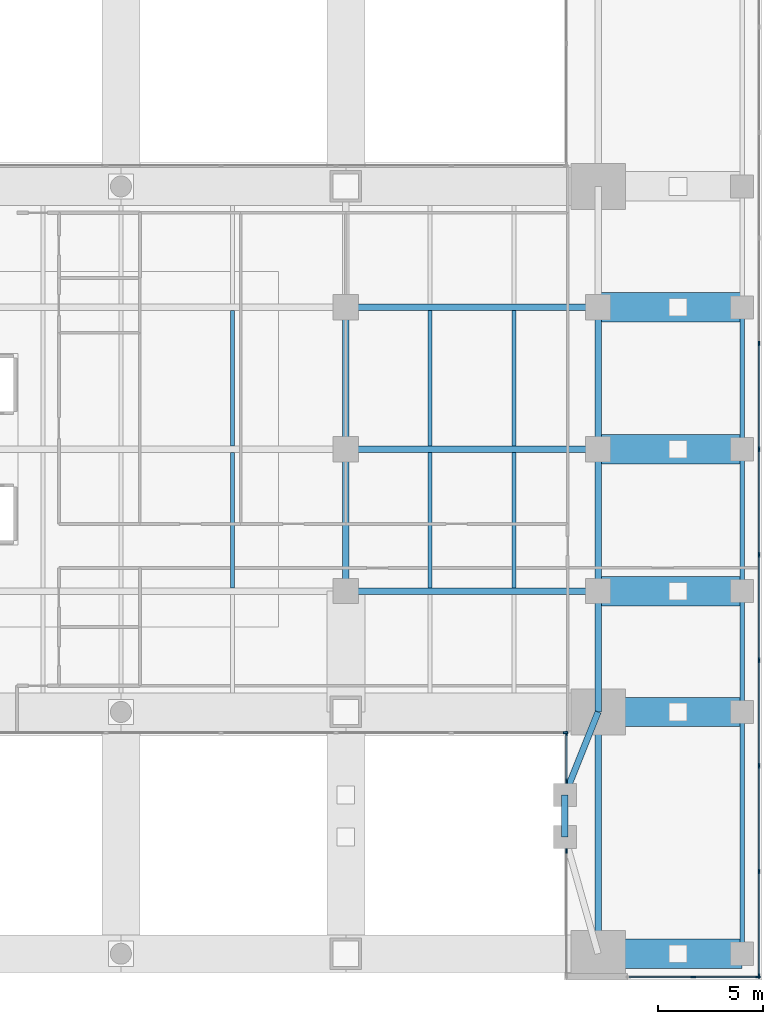
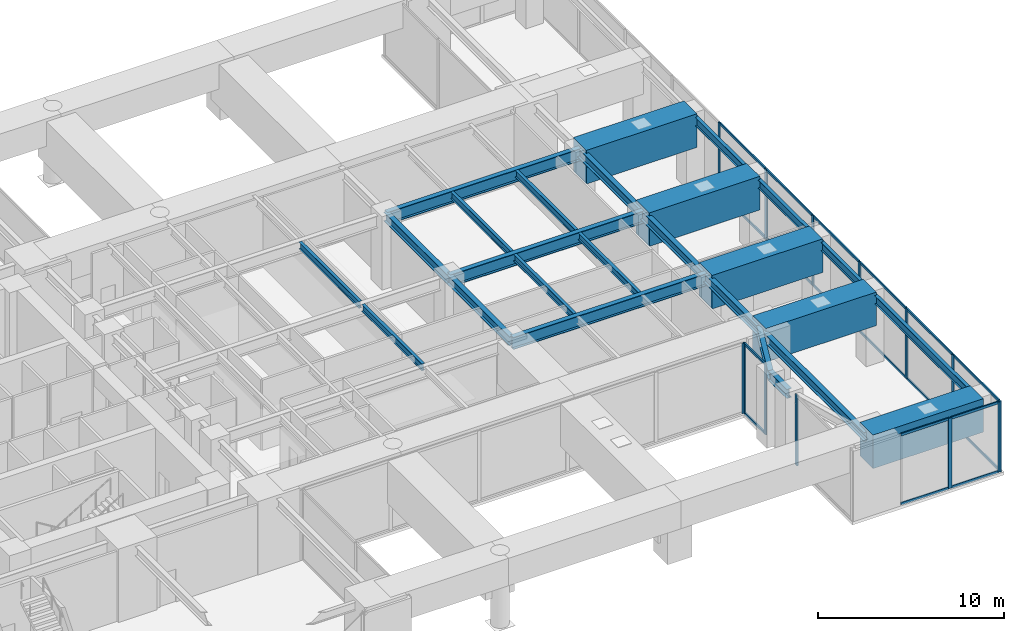
# One storey, part 4 of 13: 31 members, 26 beams, 5 elements without a shape of their own.
"""IFC4 building model written with IfcOpenShell, lengths in metres."""

from ifc_helpers import new_model, si_unit, direction, frame, origin, origin_2d, place, context, subcontext, project, spatial, rectangle, i_section, extrude, material, layer, layer_set, material_profile, profile_set, type_object, element, aggregate, save


model = new_model("IFC4")

# Units and contexts
model_context = context("Model", 3, precision=1e-05, world=origin(), true_north=direction((0.0, 1.0)))
body_context = subcontext(model_context, "Body", "Model", "MODEL_VIEW")
ifc_project = project(units=[si_unit("LENGTHUNIT", "METRE"), si_unit("AREAUNIT", "SQUARE_METRE"), si_unit("VOLUMEUNIT", "CUBIC_METRE"), si_unit("PLANEANGLEUNIT", "RADIAN"), si_unit("MASSUNIT", "GRAM", prefix="KILO")], contexts=[model_context])

# Site, building, storey
site_placement = place(None, origin())
site = spatial("IfcSite", under=ifc_project, at=site_placement, CompositionType="ELEMENT")
building_placement = place(site_placement, origin())
building = spatial("IfcBuilding", under=site, at=building_placement, Name="Kinhvarn Gate Tower", CompositionType="ELEMENT")
storey_placement = place(building_placement, frame((0.0, 0.0, 15.60009765625)))
storey = spatial("IfcBuildingStorey", under=building, at=storey_placement, Name="L03", CompositionType="ELEMENT", Elevation=15.60009765625)

# Beams
ifc_material_1 = material(Name="Concrete C60/75", Category="concrete")
ifc_material_profile_1 = material_profile(ifc_material_1, rectangle(XDim=1.39990234375, YDim=2.199951171875, at=origin_2d()), Name="RC 1400x2200")
ifc_profile_set_1 = profile_set([ifc_material_profile_1], Name="Concrete C60/75")
beam_type_1 = type_object("IfcBeamType", Name="BM-TG-2200", PredefinedType="BEAM", material=ifc_profile_set_1)
for number, where, z_axis, x_axis, name in (
    (1, (50.199951171875, 1.25, 3.699951171875), (1.0, 0.0, 0.0), (0.0, 1.0, 0.0), "Setback Transfer Girder TG-02-L04-PE-1"),
    (2, (50.199951171875, 12.75, 3.699951171875), (1.0, 0.0, 0.0), (0.0, 1.0, 0.0), "Setback Transfer Girder TG-02-L04-PE-2"),
    (3, (50.199951171875, 18.5, 3.699951171875), (1.0, 0.0, 0.0), (0.0, 1.0, 0.0), "Setback Transfer Girder TG-02-L04-PE-3"),
    (4, (50.199951171875, 25.25, 3.699951171875), (1.0, 0.0, 0.0), (0.0, 1.0, 0.0), "Setback Transfer Girder TG-02-L04-PE-4"),
    (5, (50.199951171875, 32.0, 3.699951171875), (1.0, 0.0, 0.0), (0.0, 1.0, 0.0), "Setback Transfer Girder TG-02-L04-PE-5"),
):
    element("IfcBeam", number, at=place(storey_placement, frame(where, z_axis=z_axis, x_axis=x_axis)), inside=storey, type_object=beam_type_1, Name=name, PredefinedType="BEAM", context=body_context, shape_type="SweptSolid", body=[
        extrude(rectangle(XDim=1.39990234375, YDim=2.199951171875, at=origin_2d()), origin(), (0.0, 0.0, 1.0), 6.85009765625),
    ])

# Curtain wall, members
ifc_material_2 = material(Name="Anodised aluminium AW-6063", Category="aluminium")
ifc_layer = layer(ifc_material_2, 0.219970703125)
ifc_layer_set = layer_set([ifc_layer], Name="Anodised aluminium AW-6063")
curtain_wall_type = type_object("IfcCurtainWallType", Name="CW-SYS-1", PredefinedType="NOTDEFINED", material=ifc_layer_set)
curtain_wall_1_placement = place(storey_placement, origin())
curtain_wall_1 = element("IfcCurtainWall", 6, at=curtain_wall_1_placement, inside=storey, type_object=curtain_wall_type, Name="Curtain Wall CW1 (L03)", PredefinedType="NOTDEFINED")
ifc_material_profile_2 = material_profile(ifc_material_2, rectangle(XDim=0.080078125, YDim=0.219970703125, at=origin_2d()), Name="ALU 80x220")
ifc_profile_set_2 = profile_set([ifc_material_profile_2], Name="Anodised aluminium AW-6063")
member_type_1 = type_object("IfcMemberType", Name="CW-MUL-220", PredefinedType="MULLION", material=ifc_profile_set_2)
member_1_placement = place(storey_placement, frame((54.72509765625, 0.14990234375, 0.0), z_axis=(0.0, 0.0, 1.0), x_axis=(0.0, 1.0, 0.0)))
member_1 = element("IfcMember", 7, at=member_1_placement, type_object=member_type_1, Name="CW1 mullion 2", PredefinedType="MULLION", context=body_context, shape_type="SweptSolid", body=[
    extrude(rectangle(XDim=0.080078125, YDim=0.219970703125, at=origin_2d()), origin(), (0.0, 0.0, 1.0), 4.599853515625),
])
member_2_placement = place(storey_placement, frame((57.81005859375, 0.14990234375, 0.0), z_axis=(0.0, 0.0, 1.0), x_axis=(0.0, 1.0, 0.0)))
member_2 = element("IfcMember", 8, at=member_2_placement, type_object=member_type_1, Name="CW1 mullion 3", PredefinedType="MULLION", context=body_context, shape_type="SweptSolid", body=[
    extrude(rectangle(XDim=0.080078125, YDim=0.219970703125, at=origin_2d()), origin(), (0.0, 0.0, 1.0), 4.599853515625),
])

curtain_wall_2_placement = place(storey_placement, origin())
curtain_wall_2 = element("IfcCurtainWall", 9, at=curtain_wall_2_placement, inside=storey, type_object=curtain_wall_type, Name="Curtain Wall CW1 (L03)", PredefinedType="NOTDEFINED")
member_3_placement = place(storey_placement, frame((57.85009765625, 0.18994140625, 0.0), z_axis=(0.0, 0.0, 1.0), x_axis=(-1.0, 0.0, 0.0)))
member_3 = element("IfcMember", 10, at=member_3_placement, type_object=member_type_1, Name="CW1 mullion 1", PredefinedType="MULLION", context=body_context, shape_type="SweptSolid", body=[
    extrude(rectangle(XDim=0.080078125, YDim=0.219970703125, at=origin_2d()), origin(), (0.0, 0.0, 1.0), 4.599853515625),
])
member_4_placement = place(storey_placement, frame((57.85009765625, 5.169921875, 0.0), z_axis=(0.0, 0.0, 1.0), x_axis=(-1.0, 0.0, 0.0)))
member_4 = element("IfcMember", 11, at=member_4_placement, type_object=member_type_1, Name="CW1 mullion 2", PredefinedType="MULLION", context=body_context, shape_type="SweptSolid", body=[
    extrude(rectangle(XDim=0.080078125, YDim=0.219970703125, at=origin_2d()), origin(), (0.0, 0.0, 1.0), 4.599853515625),
])
member_5_placement = place(storey_placement, frame((57.85009765625, 10.18994140625, 0.0), z_axis=(0.0, 0.0, 1.0), x_axis=(-1.0, 0.0, 0.0)))
member_5 = element("IfcMember", 12, at=member_5_placement, type_object=member_type_1, Name="CW1 mullion 3", PredefinedType="MULLION", context=body_context, shape_type="SweptSolid", body=[
    extrude(rectangle(XDim=0.080078125, YDim=0.219970703125, at=origin_2d()), origin(), (0.0, 0.0, 1.0), 4.599853515625),
])
member_6_placement = place(storey_placement, frame((57.85009765625, 15.2099609375, 0.0), z_axis=(0.0, 0.0, 1.0), x_axis=(-1.0, 0.0, 0.0)))
member_6 = element("IfcMember", 13, at=member_6_placement, type_object=member_type_1, Name="CW1 mullion 4", PredefinedType="MULLION", context=body_context, shape_type="SweptSolid", body=[
    extrude(rectangle(XDim=0.080078125, YDim=0.219970703125, at=origin_2d()), origin(), (0.0, 0.0, 1.0), 4.599853515625),
])
member_7_placement = place(storey_placement, frame((57.85009765625, 20.22998046875, 0.0), z_axis=(0.0, 0.0, 1.0), x_axis=(-1.0, 0.0, 0.0)))
member_7 = element("IfcMember", 14, at=member_7_placement, type_object=member_type_1, Name="CW1 mullion 5", PredefinedType="MULLION", context=body_context, shape_type="SweptSolid", body=[
    extrude(rectangle(XDim=0.080078125, YDim=0.219970703125, at=origin_2d()), origin(), (0.0, 0.0, 1.0), 4.599853515625),
])
member_8_placement = place(storey_placement, frame((57.85009765625, 25.25, 0.0), z_axis=(0.0, 0.0, 1.0), x_axis=(-1.0, 0.0, 0.0)))
member_8 = element("IfcMember", 15, at=member_8_placement, type_object=member_type_1, Name="CW1 mullion 6", PredefinedType="MULLION", context=body_context, shape_type="SweptSolid", body=[
    extrude(rectangle(XDim=0.080078125, YDim=0.219970703125, at=origin_2d()), origin(), (0.0, 0.0, 1.0), 4.599853515625),
])
member_9_placement = place(storey_placement, frame((57.85009765625, 30.27001953125, 0.0), z_axis=(0.0, 0.0, 1.0), x_axis=(-1.0, 0.0, 0.0)))
member_9 = element("IfcMember", 16, at=member_9_placement, type_object=member_type_1, Name="CW1 mullion 7", PredefinedType="MULLION", context=body_context, shape_type="SweptSolid", body=[
    extrude(rectangle(XDim=0.080078125, YDim=0.219970703125, at=origin_2d()), origin(), (0.0, 0.0, 1.0), 4.599853515625),
])

# Curtain wall, member
curtain_wall_3_placement = place(storey_placement, origin())
curtain_wall_3 = element("IfcCurtainWall", 17, at=curtain_wall_3_placement, inside=storey, type_object=curtain_wall_type, Name="Curtain Wall CW1 (L03)", PredefinedType="NOTDEFINED")
member_10_placement = place(storey_placement, frame((48.64990234375, 11.760009765625, 0.0), z_axis=(0.0, 0.0, 1.0), x_axis=(0.0, 1.0, 0.0)))
member_10 = element("IfcMember", 18, at=member_10_placement, type_object=member_type_1, Name="CW1 mullion 6", PredefinedType="MULLION", context=body_context, shape_type="SweptSolid", body=[
    extrude(rectangle(XDim=0.080078125, YDim=0.219970703125, at=origin_2d()), origin(), (0.0, 0.0, 1.0), 4.599853515625),
])
aggregate(curtain_wall_3, [member_10])

# Curtain wall, members
curtain_wall_4_placement = place(storey_placement, origin())
curtain_wall_4 = element("IfcCurtainWall", 19, at=curtain_wall_4_placement, inside=storey, type_object=curtain_wall_type, Name="Curtain Wall CW1 (L03)", PredefinedType="NOTDEFINED")
member_11_placement = place(storey_placement, frame((48.68994140625, 11.719970703125, 0.0), z_axis=(0.0, 0.0, 1.0), x_axis=(1.0, 0.0, 0.0)))
member_11 = element("IfcMember", 20, at=member_11_placement, type_object=member_type_1, Name="CW1 mullion 1", PredefinedType="MULLION", context=body_context, shape_type="SweptSolid", body=[
    extrude(rectangle(XDim=0.080078125, YDim=0.219970703125, at=origin_2d()), origin(), (0.0, 0.0, 1.0), 4.599853515625),
])
member_12_placement = place(storey_placement, frame((48.68994140625, 9.469970703125, 0.0), z_axis=(0.0, 0.0, 1.0), x_axis=(1.0, 0.0, 0.0)))
member_12 = element("IfcMember", 21, at=member_12_placement, type_object=member_type_1, Name="CW1 mullion 2", PredefinedType="MULLION", context=body_context, shape_type="SweptSolid", body=[
    extrude(rectangle(XDim=0.080078125, YDim=0.219970703125, at=origin_2d()), origin(), (0.0, 0.0, 1.0), 4.599853515625),
])

# Curtain wall, member
curtain_wall_5_placement = place(storey_placement, origin())
curtain_wall_5 = element("IfcCurtainWall", 22, at=curtain_wall_5_placement, inside=storey, type_object=curtain_wall_type, Name="Curtain Wall CW1 (L03)", PredefinedType="NOTDEFINED")
member_13_placement = place(storey_placement, frame((48.68994140625, 6.1298828125, 0.0), z_axis=(0.0, 0.0, 1.0), x_axis=(1.0, 0.0, 0.0)))
member_13 = element("IfcMember", 23, at=member_13_placement, type_object=member_type_1, Name="CW1 mullion 1", PredefinedType="MULLION", context=body_context, shape_type="SweptSolid", body=[
    extrude(rectangle(XDim=0.080078125, YDim=0.219970703125, at=origin_2d()), origin(), (0.0, 0.0, 1.0), 4.599853515625),
])
aggregate(curtain_wall_5, [member_13])

# Member
ifc_material_profile_3 = material_profile(ifc_material_2, rectangle(XDim=0.080078125, YDim=0.159912109375, at=origin_2d()), Name="ALU 80x160")
ifc_profile_set_3 = profile_set([ifc_material_profile_3], Name="Anodised aluminium AW-6063")
member_type_2 = type_object("IfcMemberType", Name="CW-TRN-160", PredefinedType="USERDEFINED", material=ifc_profile_set_3)
member_14_placement = place(storey_placement, frame((51.679931640625, 0.14990234375, 0.039794921875), z_axis=(1.0, 0.0, 0.0), x_axis=(0.0, 1.0, 0.0)))
member_14 = element("IfcMember", 24, at=member_14_placement, type_object=member_type_2, Name="CW1 transom 1.1", ObjectType="TRANSOM", PredefinedType="USERDEFINED", context=body_context, shape_type="SweptSolid", body=[
    extrude(rectangle(XDim=0.080078125, YDim=0.159912109375, at=origin_2d()), origin(), (0.0, 0.0, 1.0), 3.005126953125),
])

member_15_placement = place(storey_placement, frame((51.679931640625, 0.14990234375, 4.559814453125), z_axis=(1.0, 0.0, 0.0), x_axis=(0.0, 1.0, 0.0)))
member_15 = element("IfcMember", 25, at=member_15_placement, type_object=member_type_2, Name="CW1 transom 1.2", ObjectType="TRANSOM", PredefinedType="USERDEFINED", context=body_context, shape_type="SweptSolid", body=[
    extrude(rectangle(XDim=0.080078125, YDim=0.159912109375, at=origin_2d()), origin(), (0.0, 0.0, 1.0), 3.005126953125),
])

member_16_placement = place(storey_placement, frame((54.764892578125, 0.14990234375, 0.039794921875), z_axis=(1.0, 0.0, 0.0), x_axis=(0.0, 1.0, 0.0)))
member_16 = element("IfcMember", 26, at=member_16_placement, type_object=member_type_2, Name="CW1 transom 2.1", ObjectType="TRANSOM", PredefinedType="USERDEFINED", context=body_context, shape_type="SweptSolid", body=[
    extrude(rectangle(XDim=0.080078125, YDim=0.159912109375, at=origin_2d()), origin(), (0.0, 0.0, 1.0), 3.005126953125),
])

member_17_placement = place(storey_placement, frame((54.764892578125, 0.14990234375, 4.559814453125), z_axis=(1.0, 0.0, 0.0), x_axis=(0.0, 1.0, 0.0)))
member_17 = element("IfcMember", 27, at=member_17_placement, type_object=member_type_2, Name="CW1 transom 2.2", ObjectType="TRANSOM", PredefinedType="USERDEFINED", context=body_context, shape_type="SweptSolid", body=[
    extrude(rectangle(XDim=0.080078125, YDim=0.159912109375, at=origin_2d()), origin(), (0.0, 0.0, 1.0), 3.005126953125),
])

aggregate(curtain_wall_1, [member_1, member_2, member_14, member_15, member_16, member_17])

member_18_placement = place(storey_placement, frame((57.85009765625, 0.22998046875, 0.039794921875), z_axis=(0.0, 1.0, 0.0), x_axis=(-1.0, 0.0, 0.0)))
member_18 = element("IfcMember", 28, at=member_18_placement, type_object=member_type_2, Name="CW1 transom 1.1", ObjectType="TRANSOM", PredefinedType="USERDEFINED", context=body_context, shape_type="SweptSolid", body=[
    extrude(rectangle(XDim=0.080078125, YDim=0.159912109375, at=origin_2d()), origin(), (0.0, 0.0, 1.0), 4.89990234375),
])

member_19_placement = place(storey_placement, frame((57.85009765625, 0.22998046875, 4.559814453125), z_axis=(0.0, 1.0, 0.0), x_axis=(-1.0, 0.0, 0.0)))
member_19 = element("IfcMember", 29, at=member_19_placement, type_object=member_type_2, Name="CW1 transom 1.2", ObjectType="TRANSOM", PredefinedType="USERDEFINED", context=body_context, shape_type="SweptSolid", body=[
    extrude(rectangle(XDim=0.080078125, YDim=0.159912109375, at=origin_2d()), origin(), (0.0, 0.0, 1.0), 4.89990234375),
])

member_20_placement = place(storey_placement, frame((57.85009765625, 5.2099609375, 0.039794921875), z_axis=(0.0, 1.0, 0.0), x_axis=(-1.0, 0.0, 0.0)))
member_20 = element("IfcMember", 30, at=member_20_placement, type_object=member_type_2, Name="CW1 transom 2.1", ObjectType="TRANSOM", PredefinedType="USERDEFINED", context=body_context, shape_type="SweptSolid", body=[
    extrude(rectangle(XDim=0.080078125, YDim=0.159912109375, at=origin_2d()), origin(), (0.0, 0.0, 1.0), 4.93994140625),
])

member_21_placement = place(storey_placement, frame((57.85009765625, 5.2099609375, 4.559814453125), z_axis=(0.0, 1.0, 0.0), x_axis=(-1.0, 0.0, 0.0)))
member_21 = element("IfcMember", 31, at=member_21_placement, type_object=member_type_2, Name="CW1 transom 2.2", ObjectType="TRANSOM", PredefinedType="USERDEFINED", context=body_context, shape_type="SweptSolid", body=[
    extrude(rectangle(XDim=0.080078125, YDim=0.159912109375, at=origin_2d()), origin(), (0.0, 0.0, 1.0), 4.93994140625),
])

member_22_placement = place(storey_placement, frame((57.85009765625, 10.22998046875, 0.039794921875), z_axis=(0.0, 1.0, 0.0), x_axis=(-1.0, 0.0, 0.0)))
member_22 = element("IfcMember", 32, at=member_22_placement, type_object=member_type_2, Name="CW1 transom 3.1", ObjectType="TRANSOM", PredefinedType="USERDEFINED", context=body_context, shape_type="SweptSolid", body=[
    extrude(rectangle(XDim=0.080078125, YDim=0.159912109375, at=origin_2d()), origin(), (0.0, 0.0, 1.0), 4.93994140625),
])

member_23_placement = place(storey_placement, frame((57.85009765625, 10.22998046875, 4.559814453125), z_axis=(0.0, 1.0, 0.0), x_axis=(-1.0, 0.0, 0.0)))
member_23 = element("IfcMember", 33, at=member_23_placement, type_object=member_type_2, Name="CW1 transom 3.2", ObjectType="TRANSOM", PredefinedType="USERDEFINED", context=body_context, shape_type="SweptSolid", body=[
    extrude(rectangle(XDim=0.080078125, YDim=0.159912109375, at=origin_2d()), origin(), (0.0, 0.0, 1.0), 4.93994140625),
])

member_24_placement = place(storey_placement, frame((57.85009765625, 15.25, 0.039794921875), z_axis=(0.0, 1.0, 0.0), x_axis=(-1.0, 0.0, 0.0)))
member_24 = element("IfcMember", 34, at=member_24_placement, type_object=member_type_2, Name="CW1 transom 4.1", ObjectType="TRANSOM", PredefinedType="USERDEFINED", context=body_context, shape_type="SweptSolid", body=[
    extrude(rectangle(XDim=0.080078125, YDim=0.159912109375, at=origin_2d()), origin(), (0.0, 0.0, 1.0), 4.93994140625),
])

member_25_placement = place(storey_placement, frame((57.85009765625, 15.25, 4.559814453125), z_axis=(0.0, 1.0, 0.0), x_axis=(-1.0, 0.0, 0.0)))
member_25 = element("IfcMember", 35, at=member_25_placement, type_object=member_type_2, Name="CW1 transom 4.2", ObjectType="TRANSOM", PredefinedType="USERDEFINED", context=body_context, shape_type="SweptSolid", body=[
    extrude(rectangle(XDim=0.080078125, YDim=0.159912109375, at=origin_2d()), origin(), (0.0, 0.0, 1.0), 4.93994140625),
])

member_26_placement = place(storey_placement, frame((57.85009765625, 20.27001953125, 0.039794921875), z_axis=(0.0, 1.0, 0.0), x_axis=(-1.0, 0.0, 0.0)))
member_26 = element("IfcMember", 36, at=member_26_placement, type_object=member_type_2, Name="CW1 transom 5.1", ObjectType="TRANSOM", PredefinedType="USERDEFINED", context=body_context, shape_type="SweptSolid", body=[
    extrude(rectangle(XDim=0.080078125, YDim=0.159912109375, at=origin_2d()), origin(), (0.0, 0.0, 1.0), 4.93994140625),
])

member_27_placement = place(storey_placement, frame((57.85009765625, 20.27001953125, 4.559814453125), z_axis=(0.0, 1.0, 0.0), x_axis=(-1.0, 0.0, 0.0)))
member_27 = element("IfcMember", 37, at=member_27_placement, type_object=member_type_2, Name="CW1 transom 5.2", ObjectType="TRANSOM", PredefinedType="USERDEFINED", context=body_context, shape_type="SweptSolid", body=[
    extrude(rectangle(XDim=0.080078125, YDim=0.159912109375, at=origin_2d()), origin(), (0.0, 0.0, 1.0), 4.93994140625),
])

member_28_placement = place(storey_placement, frame((57.85009765625, 25.2900390625, 0.039794921875), z_axis=(0.0, 1.0, 0.0), x_axis=(-1.0, 0.0, 0.0)))
member_28 = element("IfcMember", 38, at=member_28_placement, type_object=member_type_2, Name="CW1 transom 6.1", ObjectType="TRANSOM", PredefinedType="USERDEFINED", context=body_context, shape_type="SweptSolid", body=[
    extrude(rectangle(XDim=0.080078125, YDim=0.159912109375, at=origin_2d()), origin(), (0.0, 0.0, 1.0), 4.93994140625),
])

member_29_placement = place(storey_placement, frame((57.85009765625, 25.2900390625, 4.559814453125), z_axis=(0.0, 1.0, 0.0), x_axis=(-1.0, 0.0, 0.0)))
member_29 = element("IfcMember", 39, at=member_29_placement, type_object=member_type_2, Name="CW1 transom 6.2", ObjectType="TRANSOM", PredefinedType="USERDEFINED", context=body_context, shape_type="SweptSolid", body=[
    extrude(rectangle(XDim=0.080078125, YDim=0.159912109375, at=origin_2d()), origin(), (0.0, 0.0, 1.0), 4.93994140625),
])

aggregate(curtain_wall_2, [member_3, member_4, member_5, member_6, member_7, member_8, member_9, member_18, member_19, member_20, member_21, member_22, member_23, member_24, member_25, member_26, member_27, member_28, member_29])

member_30_placement = place(storey_placement, frame((48.68994140625, 11.679931640625, 0.039794921875), z_axis=(0.0, -1.0, 0.0), x_axis=(1.0, 0.0, 0.0)))
member_30 = element("IfcMember", 40, at=member_30_placement, type_object=member_type_2, Name="CW1 transom 1.1", ObjectType="TRANSOM", PredefinedType="USERDEFINED", context=body_context, shape_type="SweptSolid", body=[
    extrude(rectangle(XDim=0.080078125, YDim=0.159912109375, at=origin_2d()), origin(), (0.0, 0.0, 1.0), 2.169921875),
])

member_31_placement = place(storey_placement, frame((48.68994140625, 11.679931640625, 4.559814453125), z_axis=(0.0, -1.0, 0.0), x_axis=(1.0, 0.0, 0.0)))
member_31 = element("IfcMember", 41, at=member_31_placement, type_object=member_type_2, Name="CW1 transom 1.2", ObjectType="TRANSOM", PredefinedType="USERDEFINED", context=body_context, shape_type="SweptSolid", body=[
    extrude(rectangle(XDim=0.080078125, YDim=0.159912109375, at=origin_2d()), origin(), (0.0, 0.0, 1.0), 2.169921875),
])

aggregate(curtain_wall_4, [member_11, member_12, member_30, member_31])

# Beams
ifc_material_3 = material(Name="Steel S355", Category="steel")
ifc_material_profile_4 = material_profile(ifc_material_3, i_section(OverallWidth=0.300048828125, OverallDepth=0.60009765625, WebThickness=0.015380859375, FlangeThickness=0.030029296875, at=origin_2d()), Name="HEB 600")
ifc_profile_set_4 = profile_set([ifc_material_profile_4], Name="Steel S355")
beam_type_2 = type_object("IfcBeamType", Name="STL-HEB600", PredefinedType="BEAM", material=ifc_profile_set_4)
beam_1_placement = place(storey_placement, frame((48.6201171875, 6.800048828125, 4.2998046875), z_axis=(0.0, 1.0, 0.0), x_axis=(-1.0, 0.0, 0.0)))
element("IfcBeam", 42, at=beam_1_placement, inside=storey, type_object=beam_type_2, Name="Floor Beam PG-16 (L03 TIE-SE1-M)", PredefinedType="BEAM", context=body_context, shape_type="SweptSolid", body=[
    extrude(i_section(OverallWidth=0.300048828125, OverallDepth=0.60009765625, WebThickness=0.015380859375, FlangeThickness=0.030029296875, at=origin_2d()), origin(), (0.0, 0.0, 1.0), 2.0),
])
beam_2_placement = place(storey_placement, frame((48.6201171875, 8.800048828125, 4.2998046875), z_axis=(0.371360992457, 0.928488563894, 0.0), x_axis=(-0.928488563894, 0.371360992457, 0.0)))
element("IfcBeam", 43, at=beam_2_placement, inside=storey, type_object=beam_type_2, Name="Floor Beam PG-16 (L03 TIE-SE1-N)", PredefinedType="BEAM", context=body_context, shape_type="SweptSolid", body=[
    extrude(i_section(OverallWidth=0.300048828125, OverallDepth=0.60009765625, WebThickness=0.015380859375, FlangeThickness=0.030029296875, at=origin_2d()), origin(), (0.0, 0.0, 1.0), 4.254150390625),
])
beam_3_placement = place(storey_placement, frame((50.199951171875, 1.25, 4.2998046875), z_axis=(0.0, 1.0, 0.0), x_axis=(-1.0, 0.0, 0.0)))
element("IfcBeam", 44, at=beam_3_placement, inside=storey, type_object=beam_type_2, Name="Floor Beam PG-16 (L03 APE-1)", PredefinedType="BEAM", context=body_context, shape_type="SweptSolid", body=[
    extrude(i_section(OverallWidth=0.300048828125, OverallDepth=0.60009765625, WebThickness=0.015380859375, FlangeThickness=0.030029296875, at=origin_2d()), origin(), (0.0, 0.0, 1.0), 11.5),
])
beam_4_placement = place(storey_placement, frame((50.199951171875, 12.75, 4.2998046875), z_axis=(0.0, 1.0, 0.0), x_axis=(-1.0, 0.0, 0.0)))
element("IfcBeam", 45, at=beam_4_placement, inside=storey, type_object=beam_type_2, Name="Floor Beam PG-16 (L03 APE-2)", PredefinedType="BEAM", context=body_context, shape_type="SweptSolid", body=[
    extrude(i_section(OverallWidth=0.300048828125, OverallDepth=0.60009765625, WebThickness=0.015380859375, FlangeThickness=0.030029296875, at=origin_2d()), origin(), (0.0, 0.0, 1.0), 5.75),
])
for number, where, z_axis, x_axis, name in (
    (46, (50.199951171875, 18.5, 4.2998046875), (0.0, 1.0, 0.0), (-1.0, 0.0, 0.0), "Floor Beam PG-16 (L03 APE-3)"),
    (47, (50.199951171875, 25.25, 4.2998046875), (0.0, 1.0, 0.0), (-1.0, 0.0, 0.0), "Floor Beam PG-16 (L03 APE-4)"),
    (48, (38.199951171875, 18.5, 4.2998046875), (0.0, 1.0, 0.0), (-1.0, 0.0, 0.0), "Floor Beam PG-16 (L03 POD-NS38-18)"),
    (49, (38.199951171875, 25.25, 4.2998046875), (0.0, 1.0, 0.0), (-1.0, 0.0, 0.0), "Floor Beam PG-16 (L03 POD-NS38-25)"),
):
    element("IfcBeam", number, at=place(storey_placement, frame(where, z_axis=z_axis, x_axis=x_axis)), inside=storey, type_object=beam_type_2, Name=name, PredefinedType="BEAM", context=body_context, shape_type="SweptSolid", body=[
        extrude(i_section(OverallWidth=0.300048828125, OverallDepth=0.60009765625, WebThickness=0.015380859375, FlangeThickness=0.030029296875, at=origin_2d()), origin(), (0.0, 0.0, 1.0), 6.75),
    ])
ifc_material_profile_5 = material_profile(ifc_material_3, i_section(OverallWidth=0.300048828125, OverallDepth=0.800048828125, WebThickness=0.017578125, FlangeThickness=0.032958984375, at=origin_2d()), Name="HEB 800")
ifc_profile_set_5 = profile_set([ifc_material_profile_5], Name="Steel S355")
beam_type_3 = type_object("IfcBeamType", Name="STL-HEB800", PredefinedType="BEAM", material=ifc_profile_set_5)
for number, where, z_axis, x_axis, name in (
    (50, (38.199951171875, 18.5, 4.199951171875), (1.0, 0.0, 0.0), (0.0, 1.0, 0.0), "Floor Beam PG-19 (L03 POD-EW2-18)"),
    (51, (38.199951171875, 25.25, 4.199951171875), (1.0, 0.0, 0.0), (0.0, 1.0, 0.0), "Floor Beam PG-19 (L03 POD-EW2-25)"),
    (52, (38.199951171875, 32.0, 4.199951171875), (1.0, 0.0, 0.0), (0.0, 1.0, 0.0), "Floor Beam PG-19 (L03 POD-EW2-32)"),
):
    element("IfcBeam", number, at=place(storey_placement, frame(where, z_axis=z_axis, x_axis=x_axis)), inside=storey, type_object=beam_type_3, Name=name, PredefinedType="BEAM", context=body_context, shape_type="SweptSolid", body=[
        extrude(i_section(OverallWidth=0.300048828125, OverallDepth=0.800048828125, WebThickness=0.017578125, FlangeThickness=0.032958984375, at=origin_2d()), origin(), (0.0, 0.0, 1.0), 12.0),
    ])
ifc_material_profile_6 = material_profile(ifc_material_3, i_section(OverallWidth=0.18994140625, OverallDepth=0.449951171875, WebThickness=0.009521484375, FlangeThickness=0.0146484375, at=origin_2d()), Name="IPE 450")
ifc_profile_set_6 = profile_set([ifc_material_profile_6], Name="Steel S355")
beam_type_4 = type_object("IfcBeamType", Name="STL-IPE450", PredefinedType="JOIST", material=ifc_profile_set_6)
for number, where, z_axis, x_axis, name in (
    (53, (32.800048828125, 18.64990234375, 4.375), (0.0, 1.0, 0.0), (-1.0, 0.0, 0.0), "Floor Joist SB-06 (L03 POD-J328-18)"),
    (54, (42.199951171875, 18.64990234375, 4.375), (0.0, 1.0, 0.0), (-1.0, 0.0, 0.0), "Floor Joist SB-06 (L03 POD-J422-18)"),
    (55, (46.199951171875, 18.64990234375, 4.375), (0.0, 1.0, 0.0), (-1.0, 0.0, 0.0), "Floor Joist SB-06 (L03 POD-J462-18)"),
    (56, (32.800048828125, 25.39990234375, 4.375), (0.0, 1.0, 0.0), (-1.0, 0.0, 0.0), "Floor Joist SB-06 (L03 POD-J328-25)"),
    (57, (42.199951171875, 25.39990234375, 4.375), (0.0, 1.0, 0.0), (-1.0, 0.0, 0.0), "Floor Joist SB-06 (L03 POD-J422-25)"),
    (58, (46.199951171875, 25.39990234375, 4.375), (0.0, 1.0, 0.0), (-1.0, 0.0, 0.0), "Floor Joist SB-06 (L03 POD-J462-25)"),
):
    element("IfcBeam", number, at=place(storey_placement, frame(where, z_axis=z_axis, x_axis=x_axis)), inside=storey, type_object=beam_type_4, Name=name, PredefinedType="JOIST", context=body_context, shape_type="SweptSolid", body=[
        extrude(i_section(OverallWidth=0.18994140625, OverallDepth=0.449951171875, WebThickness=0.009521484375, FlangeThickness=0.0146484375, at=origin_2d()), origin(), (0.0, 0.0, 1.0), 6.4501953125),
    ])
ifc_material_profile_7 = material_profile(ifc_material_3, i_section(OverallWidth=0.2099609375, OverallDepth=0.550048828125, WebThickness=0.010986328125, FlangeThickness=0.01708984375, at=origin_2d()), Name="IPE 550")
ifc_profile_set_7 = profile_set([ifc_material_profile_7], Name="Steel S355")
beam_type_5 = type_object("IfcBeamType", Name="STL-IPE550", PredefinedType="SPANDREL", material=ifc_profile_set_7)
beam_5_placement = place(storey_placement, frame((57.050048828125, 1.25, 4.324951171875), z_axis=(0.0, 1.0, 0.0), x_axis=(-1.0, 0.0, 0.0)))
element("IfcBeam", 59, at=beam_5_placement, inside=storey, type_object=beam_type_5, Name="Floor Spandrel SB-08 (L03 PERE-1)", PredefinedType="SPANDREL", context=body_context, shape_type="SweptSolid", body=[
    extrude(i_section(OverallWidth=0.2099609375, OverallDepth=0.550048828125, WebThickness=0.010986328125, FlangeThickness=0.01708984375, at=origin_2d()), origin(), (0.0, 0.0, 1.0), 11.5),
])
beam_6_placement = place(storey_placement, frame((57.050048828125, 12.75, 4.324951171875), z_axis=(0.0, 1.0, 0.0), x_axis=(-1.0, 0.0, 0.0)))
element("IfcBeam", 60, at=beam_6_placement, inside=storey, type_object=beam_type_5, Name="Floor Spandrel SB-08 (L03 PERE-2)", PredefinedType="SPANDREL", context=body_context, shape_type="SweptSolid", body=[
    extrude(i_section(OverallWidth=0.2099609375, OverallDepth=0.550048828125, WebThickness=0.010986328125, FlangeThickness=0.01708984375, at=origin_2d()), origin(), (0.0, 0.0, 1.0), 5.75),
])
for number, where, z_axis, x_axis, name in (
    (61, (57.050048828125, 18.5, 4.324951171875), (0.0, 1.0, 0.0), (-1.0, 0.0, 0.0), "Floor Spandrel SB-08 (L03 PERE-3)"),
    (62, (57.050048828125, 25.25, 4.324951171875), (0.0, 1.0, 0.0), (-1.0, 0.0, 0.0), "Floor Spandrel SB-08 (L03 PERE-4)"),
):
    element("IfcBeam", number, at=place(storey_placement, frame(where, z_axis=z_axis, x_axis=x_axis)), inside=storey, type_object=beam_type_5, Name=name, PredefinedType="SPANDREL", context=body_context, shape_type="SweptSolid", body=[
        extrude(i_section(OverallWidth=0.2099609375, OverallDepth=0.550048828125, WebThickness=0.010986328125, FlangeThickness=0.01708984375, at=origin_2d()), origin(), (0.0, 0.0, 1.0), 6.75),
    ])

save(model, "model.ifc")
